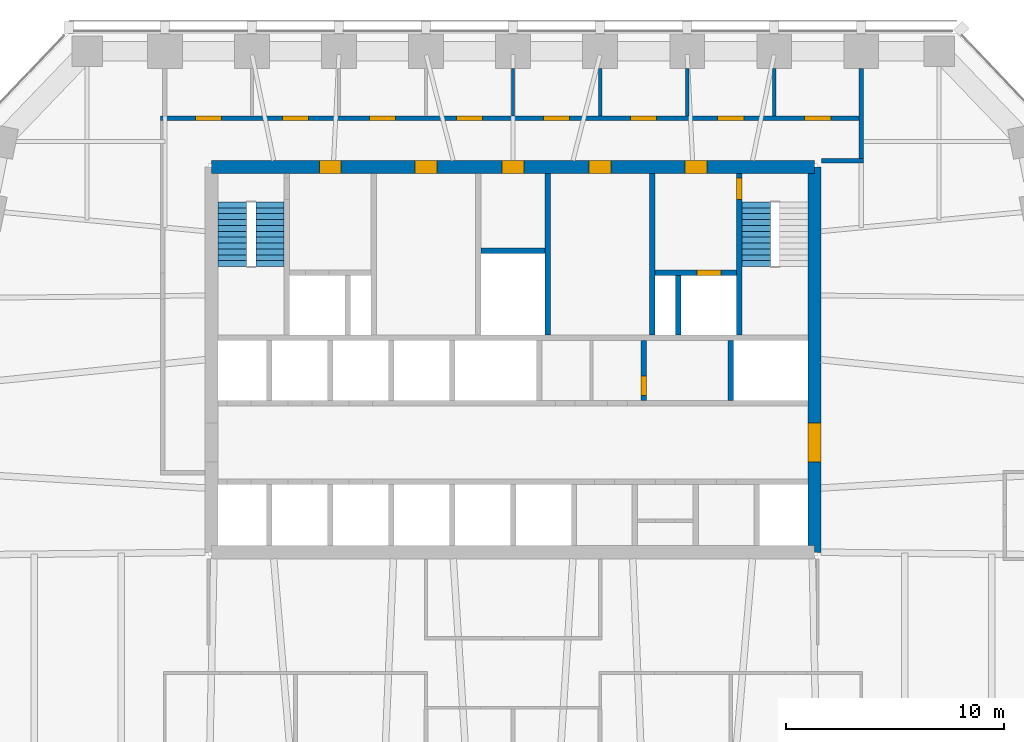
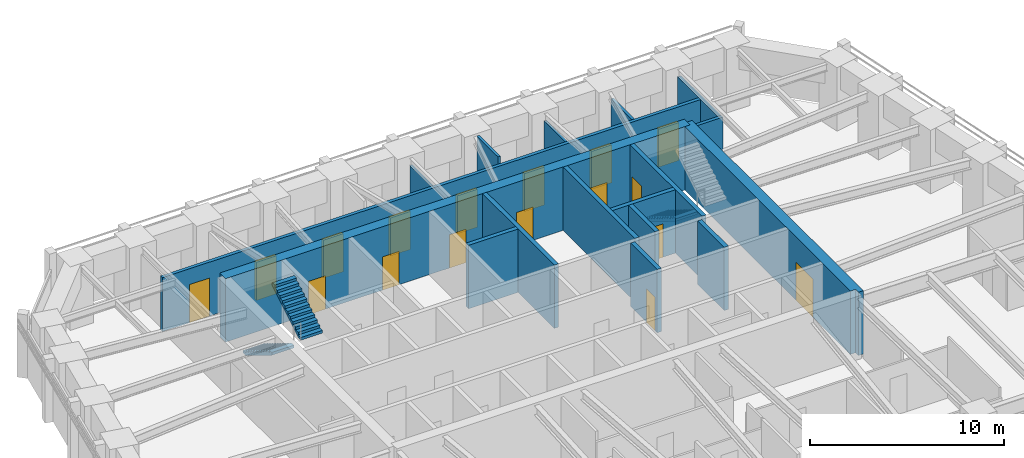
# One storey, part 7 of 10: 17 doors, 17 walls, 3 stair flights, 17 openings, 2 elements without a shape of their own.
"""IFC4 building model written with IfcOpenShell, lengths in metres."""

from ifc_helpers import new_model, si_unit, direction, frame, frame_2d, origin, place, context, subcontext, project, spatial, polyline, rectangle, outline, extrude, material, layer, layer_set, type_object, element, fill, aggregate, save


model = new_model("IFC4")

# Units and contexts
model_context = context("Model", 3, precision=1e-05, world=origin(), true_north=direction((0.0, 1.0)))
body_context = subcontext(model_context, "Body", "Model", "MODEL_VIEW")
ifc_project = project(units=[si_unit("LENGTHUNIT", "METRE"), si_unit("AREAUNIT", "SQUARE_METRE"), si_unit("VOLUMEUNIT", "CUBIC_METRE"), si_unit("PLANEANGLEUNIT", "RADIAN"), si_unit("MASSUNIT", "GRAM", prefix="KILO")], contexts=[model_context])

# Site, building, storey
site_placement = place(None, origin())
site = spatial("IfcSite", under=ifc_project, at=site_placement, CompositionType="ELEMENT")
building_placement = place(site_placement, origin())
building = spatial("IfcBuilding", under=site, at=building_placement, Name="Isbrekke Arena Tower", CompositionType="ELEMENT")
storey_placement = place(building_placement, frame((0.0, 0.0, 182.0)))
storey = spatial("IfcBuildingStorey", under=building, at=storey_placement, Name="L41", CompositionType="ELEMENT", Elevation=182.0)

# Wall, opening, door
ifc_material_1 = material(Name="Concrete B55 (C55/67)", Category="concrete")
ifc_layer_1 = layer(ifc_material_1, 0.60009765625)
ifc_layer_set_1 = layer_set([ifc_layer_1], Name="CW4 CORE WALL 600")
wall_type_1 = type_object("IfcWallType", Name="CW4 CORE WALL 600", PredefinedType="SHEAR", material=ifc_layer_set_1)
wall_1_placement = place(storey_placement, frame((13.85009765625, 6.14990234375, 0.0), z_axis=(0.0, 0.0, 1.0), x_axis=(0.0, 1.0, 0.0)))
wall_1 = element("IfcWall", 1, at=wall_1_placement, inside=storey, type_object=wall_type_1, Name="Core wall E L41", PredefinedType="SHEAR", context=body_context, shape_type="SweptSolid", body=[
    extrude(outline(polyline([(0.0, -0.300048828125), (17.7001953125, -0.300048828125), (17.7001953125, 0.0), (17.400146484375, 0.0), (17.400146484375, 0.300048828125), (0.300048828125, 0.300048828125), (0.300048828125, 0.0), (0.0, 0.0), (0.0, -0.300048828125)])), origin(), (0.0, 0.0, 1.0), 4.0),
])
opening_1_placement = place(wall_1_placement, frame((4.14990234375, 0.0, 0.0)))
opening_1 = element("IfcOpeningElement", 2, at=opening_1_placement, cuts=wall_1, Name="Opening D1", PredefinedType="OPENING", context=body_context, shape_type="SweptSolid", body=[
    extrude(rectangle(XDim=1.800048828125, YDim=2.39990234375, at=frame_2d((0.89990234375, 1.199951171875))), frame((0.0, 0.31494140625, 0.0), z_axis=(0.0, -1.0, 0.0), x_axis=(1.0, 0.0, 0.0)), (0.0, 0.0, 1.0), 0.6298828125),
])
ifc_material_2 = material(Name="Steel-framed glazed fire door", Category="steel")
door_type_1 = type_object("IfcDoorType", Name="D1 CORE LOBBY DOOR 1800 x 2400", OperationType="DOUBLE_DOOR_SINGLE_SWING", PredefinedType="DOOR", material=ifc_material_2)
door_1_placement = place(opening_1_placement, origin())
door_1 = element("IfcDoor", 3, at=door_1_placement, inside=storey, type_object=door_type_1, Name="D1 lift lobby door east L41", OperationType="DOUBLE_DOOR_SINGLE_SWING", OverallHeight=2.39990234375, OverallWidth=1.800048828125, PredefinedType="DOOR", context=body_context, shape_type="SweptSolid", body=[
    extrude(rectangle(XDim=1.800048828125, YDim=2.39990234375, at=frame_2d((0.89990234375, 1.199951171875))), frame((0.0, 0.2998046875, 0.0), z_axis=(0.0, -1.0, 0.0), x_axis=(1.0, 0.0, 0.0)), (0.0, 0.0, 1.0), 0.599609375),
])
fill(opening_1, door_1)

# Wall, openings, doors
wall_2_placement = place(storey_placement, frame((13.85009765625, 23.85009765625, 0.0), z_axis=(0.0, 0.0, 1.0), x_axis=(-1.0, 0.0, 0.0)))
wall_2 = element("IfcWall", 4, at=wall_2_placement, inside=storey, type_object=wall_type_1, Name="Core wall N L41", PredefinedType="SHEAR", context=body_context, shape_type="SweptSolid", body=[
    extrude(rectangle(XDim=27.7001953125, YDim=0.60009765625, at=frame_2d((13.85009765625, 0.0))), origin(), (0.0, 0.0, 1.0), 4.0),
])
opening_2_placement = place(wall_2_placement, frame((21.75, 0.0, 0.0)))
opening_2 = element("IfcOpeningElement", 5, at=opening_2_placement, cuts=wall_2, Name="Opening D3", PredefinedType="OPENING", context=body_context, shape_type="SweptSolid", body=[
    extrude(rectangle(XDim=1.0, YDim=2.10009765625, at=frame_2d((0.5, 1.050048828125))), frame((0.0, 0.31494140625, 0.0), z_axis=(0.0, -1.0, 0.0), x_axis=(1.0, 0.0, 0.0)), (0.0, 0.0, 1.0), 0.6298828125),
])
opening_3_placement = place(wall_2_placement, frame((4.949951171875, 0.0, 0.0)))
opening_3 = element("IfcOpeningElement", 6, at=opening_3_placement, cuts=wall_2, Name="Opening D3", PredefinedType="OPENING", context=body_context, shape_type="SweptSolid", body=[
    extrude(rectangle(XDim=1.0, YDim=2.10009765625, at=frame_2d((0.5, 1.050048828125))), frame((0.0, 0.31494140625, 0.0), z_axis=(0.0, -1.0, 0.0), x_axis=(1.0, 0.0, 0.0)), (0.0, 0.0, 1.0), 0.6298828125),
])
opening_4_placement = place(wall_2_placement, frame((17.35009765625, 0.0, 0.0)))
opening_4 = element("IfcOpeningElement", 7, at=opening_4_placement, cuts=wall_2, Name="Opening D4", PredefinedType="OPENING", context=body_context, shape_type="SweptSolid", body=[
    extrude(rectangle(XDim=1.0, YDim=2.10009765625, at=frame_2d((0.5, 1.050048828125))), frame((0.0, 0.31494140625, 0.0), z_axis=(0.0, -1.0, 0.0), x_axis=(1.0, 0.0, 0.0)), (0.0, 0.0, 1.0), 0.6298828125),
])
opening_5_placement = place(wall_2_placement, frame((13.35009765625, 0.0, 0.0)))
opening_5 = element("IfcOpeningElement", 8, at=opening_5_placement, cuts=wall_2, Name="Opening D4", PredefinedType="OPENING", context=body_context, shape_type="SweptSolid", body=[
    extrude(rectangle(XDim=1.0, YDim=2.10009765625, at=frame_2d((0.5, 1.050048828125))), frame((0.0, 0.31494140625, 0.0), z_axis=(0.0, -1.0, 0.0), x_axis=(1.0, 0.0, 0.0)), (0.0, 0.0, 1.0), 0.6298828125),
])
opening_6_placement = place(wall_2_placement, frame((9.35009765625, 0.0, 0.0)))
opening_6 = element("IfcOpeningElement", 9, at=opening_6_placement, cuts=wall_2, Name="Opening D4", PredefinedType="OPENING", context=body_context, shape_type="SweptSolid", body=[
    extrude(rectangle(XDim=1.0, YDim=2.10009765625, at=frame_2d((0.5, 1.050048828125))), frame((0.0, 0.31494140625, 0.0), z_axis=(0.0, -1.0, 0.0), x_axis=(1.0, 0.0, 0.0)), (0.0, 0.0, 1.0), 0.6298828125),
])
ifc_material_3 = material(Name="Steel fire door", Category="steel")
door_type_2 = type_object("IfcDoorType", Name="D3 FIRE LOBBY DOOR 1000 x 2100", OperationType="SINGLE_SWING_RIGHT", PredefinedType="DOOR", material=ifc_material_3)
door_2_placement = place(opening_2_placement, origin())
door_2 = element("IfcDoor", 10, at=door_2_placement, inside=storey, type_object=door_type_2, Name="D3 fire-fighting lobby door L41", OperationType="SINGLE_SWING_RIGHT", OverallHeight=2.10009765625, OverallWidth=1.0, PredefinedType="DOOR", context=body_context, shape_type="SweptSolid", body=[
    extrude(rectangle(XDim=1.0, YDim=2.10009765625, at=frame_2d((0.5, 1.050048828125))), frame((0.0, 0.2998046875, 0.0), z_axis=(0.0, -1.0, 0.0), x_axis=(1.0, 0.0, 0.0)), (0.0, 0.0, 1.0), 0.599609375),
])
fill(opening_2, door_2)
door_3_placement = place(opening_3_placement, origin())
door_3 = element("IfcDoor", 11, at=door_3_placement, inside=storey, type_object=door_type_2, Name="D3 fire-fighting lobby door L41", OperationType="SINGLE_SWING_RIGHT", OverallHeight=2.10009765625, OverallWidth=1.0, PredefinedType="DOOR", context=body_context, shape_type="SweptSolid", body=[
    extrude(rectangle(XDim=1.0, YDim=2.10009765625, at=frame_2d((0.5, 1.050048828125))), frame((0.0, 0.2998046875, 0.0), z_axis=(0.0, -1.0, 0.0), x_axis=(1.0, 0.0, 0.0)), (0.0, 0.0, 1.0), 0.599609375),
])
fill(opening_3, door_3)
ifc_material_4 = material(Name="Timber door", Category="wood")
door_type_3 = type_object("IfcDoorType", Name="D4 WC DOOR 1000 x 2100", OperationType="SINGLE_SWING_LEFT", PredefinedType="DOOR", material=ifc_material_4)
door_4_placement = place(opening_4_placement, origin())
door_4 = element("IfcDoor", 12, at=door_4_placement, inside=storey, type_object=door_type_3, Name="D4 wc female door L41", OperationType="SINGLE_SWING_LEFT", OverallHeight=2.10009765625, OverallWidth=1.0, PredefinedType="DOOR", context=body_context, shape_type="SweptSolid", body=[
    extrude(rectangle(XDim=1.0, YDim=2.10009765625, at=frame_2d((0.5, 1.050048828125))), frame((0.0, 0.2998046875, 0.0), z_axis=(0.0, -1.0, 0.0), x_axis=(1.0, 0.0, 0.0)), (0.0, 0.0, 1.0), 0.599609375),
])
fill(opening_4, door_4)
door_5_placement = place(opening_5_placement, origin())
door_5 = element("IfcDoor", 13, at=door_5_placement, inside=storey, type_object=door_type_3, Name="D4 accessible wc door L41", OperationType="SINGLE_SWING_LEFT", OverallHeight=2.10009765625, OverallWidth=1.0, PredefinedType="DOOR", context=body_context, shape_type="SweptSolid", body=[
    extrude(rectangle(XDim=1.0, YDim=2.10009765625, at=frame_2d((0.5, 1.050048828125))), frame((0.0, 0.2998046875, 0.0), z_axis=(0.0, -1.0, 0.0), x_axis=(1.0, 0.0, 0.0)), (0.0, 0.0, 1.0), 0.599609375),
])
fill(opening_5, door_5)
door_6_placement = place(opening_6_placement, origin())
door_6 = element("IfcDoor", 14, at=door_6_placement, inside=storey, type_object=door_type_3, Name="D4 wc male door L41", OperationType="SINGLE_SWING_LEFT", OverallHeight=2.10009765625, OverallWidth=1.0, PredefinedType="DOOR", context=body_context, shape_type="SweptSolid", body=[
    extrude(rectangle(XDim=1.0, YDim=2.10009765625, at=frame_2d((0.5, 1.050048828125))), frame((0.0, 0.2998046875, 0.0), z_axis=(0.0, -1.0, 0.0), x_axis=(1.0, 0.0, 0.0)), (0.0, 0.0, 1.0), 0.599609375),
])
fill(opening_6, door_6)

# Wall, opening, door
ifc_material_5 = material(Name="Concrete B45 (C45/55)", Category="concrete")
ifc_layer_2 = layer(ifc_material_5, 0.25)
ifc_layer_set_2 = layer_set([ifc_layer_2], Name="CW6 SHAFT WALL 250")
wall_type_2 = type_object("IfcWallType", Name="CW6 SHAFT WALL 250", PredefinedType="SHEAR", material=ifc_layer_set_2)
wall_3_placement = place(storey_placement, frame((6.0, 13.125, 0.0), z_axis=(0.0, 0.0, 1.0), x_axis=(0.0, 1.0, 0.0)))
wall_3 = element("IfcWall", 15, at=wall_3_placement, inside=storey, type_object=wall_type_2, Name="Core wall SN06 L41", PredefinedType="SHEAR", context=body_context, shape_type="SweptSolid", body=[
    extrude(rectangle(XDim=2.75, YDim=0.25, at=frame_2d((1.375, 0.0))), origin(), (0.0, 0.0, 1.0), 4.0),
])
opening_7_placement = place(wall_3_placement, frame((0.22509765625, 0.0, 0.0)))
opening_7 = element("IfcOpeningElement", 16, at=opening_7_placement, cuts=wall_3, Name="Opening D5", PredefinedType="OPENING", context=body_context, shape_type="SweptSolid", body=[
    extrude(rectangle(XDim=0.89990234375, YDim=2.10009765625, at=frame_2d((0.449951171875, 1.050048828125))), frame((0.0, 0.139892578125, 0.0), z_axis=(0.0, -1.0, 0.0), x_axis=(1.0, 0.0, 0.0)), (0.0, 0.0, 1.0), 0.27978515625),
])
ifc_material_6 = material(Name="Steel fire door", Category="steel")
door_type_4 = type_object("IfcDoorType", Name="D5 SERVICE DOOR 900 x 2100", OperationType="SINGLE_SWING_LEFT", PredefinedType="DOOR", material=ifc_material_6)
door_7_placement = place(opening_7_placement, frame((0.89990234375, 0.0, 0.0), z_axis=(0.0, 0.0, 1.0), x_axis=(-1.0, 0.0, 0.0)))
door_7 = element("IfcDoor", 17, at=door_7_placement, inside=storey, type_object=door_type_4, Name="D5 tenant store door L41", OperationType="SINGLE_SWING_LEFT", OverallHeight=2.10009765625, OverallWidth=0.89990234375, PredefinedType="DOOR", context=body_context, shape_type="SweptSolid", body=[
    extrude(rectangle(XDim=0.89990234375, YDim=2.10009765625, at=frame_2d((0.449951171875, 1.050048828125))), frame((0.0, 0.124755859375, 0.0), z_axis=(0.0, -1.0, 0.0), x_axis=(1.0, 0.0, 0.0)), (0.0, 0.0, 1.0), 0.24951171875),
])
fill(opening_7, door_7)

# Walls
wall_4_placement = place(storey_placement, frame((10.0, 13.125, 0.0), z_axis=(0.0, 0.0, 1.0), x_axis=(0.0, 1.0, 0.0)))
element("IfcWall", 18, at=wall_4_placement, inside=storey, type_object=wall_type_2, Name="Core wall SN07 L41", PredefinedType="SHEAR", context=body_context, shape_type="SweptSolid", body=[
    extrude(rectangle(XDim=2.75, YDim=0.25, at=frame_2d((1.375, 0.0))), origin(), (0.0, 0.0, 1.0), 4.0),
])
for number, where, z_axis, x_axis, name in (
    (19, (1.60009765625, 16.125, 0.0), (0.0, 0.0, 1.0), (0.0, 1.0, 0.0), "Core wall NV04 L41"),
    (20, (6.39990234375, 16.125, 0.0), (0.0, 0.0, 1.0), (0.0, 1.0, 0.0), "Core wall NV05 L41"),
):
    element("IfcWall", number, at=place(storey_placement, frame(where, z_axis=z_axis, x_axis=x_axis)), inside=storey, type_object=wall_type_2, Name=name, PredefinedType="SHEAR", context=body_context, shape_type="SweptSolid", body=[
        extrude(rectangle(XDim=7.425048828125, YDim=0.25, at=frame_2d((3.71240234375, 0.0))), origin(), (0.0, 0.0, 1.0), 4.0),
    ])

# Wall, opening, door
wall_5_placement = place(storey_placement, frame((10.39990234375, 16.125, 0.0), z_axis=(0.0, 0.0, 1.0), x_axis=(0.0, 1.0, 0.0)))
wall_5 = element("IfcWall", 21, at=wall_5_placement, inside=storey, type_object=wall_type_2, Name="Core wall NV06 L41", PredefinedType="SHEAR", context=body_context, shape_type="SweptSolid", body=[
    extrude(rectangle(XDim=7.425048828125, YDim=0.25, at=frame_2d((3.71240234375, 0.0))), origin(), (0.0, 0.0, 1.0), 4.0),
])
opening_8_placement = place(wall_5_placement, frame((6.22509765625, 0.0, 0.0)))
opening_8 = element("IfcOpeningElement", 22, at=opening_8_placement, cuts=wall_5, Name="Opening D2", PredefinedType="OPENING", context=body_context, shape_type="SweptSolid", body=[
    extrude(rectangle(XDim=1.0, YDim=2.10009765625, at=frame_2d((0.5, 1.050048828125))), frame((0.0, 0.139892578125, 0.0), z_axis=(0.0, -1.0, 0.0), x_axis=(1.0, 0.0, 0.0)), (0.0, 0.0, 1.0), 0.27978515625),
])
ifc_material_7 = material(Name="Steel fire door", Category="steel")
door_type_5 = type_object("IfcDoorType", Name="D2 STAIR DOOR 1000 x 2100", OperationType="SINGLE_SWING_LEFT", PredefinedType="DOOR", material=ifc_material_7)
door_8_placement = place(opening_8_placement, origin())
door_8 = element("IfcDoor", 23, at=door_8_placement, inside=storey, type_object=door_type_5, Name="D2 stair door ST2 L41", OperationType="SINGLE_SWING_LEFT", OverallHeight=2.10009765625, OverallWidth=1.0, PredefinedType="DOOR", context=body_context, shape_type="SweptSolid", body=[
    extrude(rectangle(XDim=1.0, YDim=2.10009765625, at=frame_2d((0.5, 1.050048828125))), frame((0.0, 0.124755859375, 0.0), z_axis=(0.0, -1.0, 0.0), x_axis=(1.0, 0.0, 0.0)), (0.0, 0.0, 1.0), 0.24951171875),
])
fill(opening_8, door_8)

wall_6_placement = place(storey_placement, frame((6.52490234375, 19.0, 0.0), z_axis=(0.0, 0.0, 1.0), x_axis=(1.0, 0.0, 0.0)))
wall_6 = element("IfcWall", 24, at=wall_6_placement, inside=storey, type_object=wall_type_2, Name="Core wall NFE L41", PredefinedType="SHEAR", context=body_context, shape_type="SweptSolid", body=[
    extrude(rectangle(XDim=3.75, YDim=0.25, at=frame_2d((1.875, 0.0))), origin(), (0.0, 0.0, 1.0), 4.0),
])
opening_9_placement = place(wall_6_placement, frame((1.925048828125, 0.0, 0.0)))
opening_9 = element("IfcOpeningElement", 25, at=opening_9_placement, cuts=wall_6, Name="Opening LD2", PredefinedType="OPENING", context=body_context, shape_type="SweptSolid", body=[
    extrude(rectangle(XDim=1.10009765625, YDim=2.10009765625, at=frame_2d((0.550048828125, 1.050048828125))), frame((0.0, 0.139892578125, 0.0), z_axis=(0.0, -1.0, 0.0), x_axis=(1.0, 0.0, 0.0)), (0.0, 0.0, 1.0), 0.27978515625),
])
ifc_material_8 = material(Name="Stainless steel lift landing door", Category="steel")
door_type_6 = type_object("IfcDoorType", Name="LD2 FIRE-FIGHTING LIFT LANDING DOOR 1100 x 2100", OperationType="SLIDING_TO_RIGHT", PredefinedType="DOOR", material=ifc_material_8)
door_9_placement = place(opening_9_placement, origin())
door_9 = element("IfcDoor", 26, at=door_9_placement, inside=storey, type_object=door_type_6, Name="LD2 lift landing door LF L41", OperationType="SLIDING_TO_RIGHT", OverallHeight=2.10009765625, OverallWidth=1.10009765625, PredefinedType="DOOR", context=body_context, shape_type="SweptSolid", body=[
    extrude(rectangle(XDim=1.10009765625, YDim=2.10009765625, at=frame_2d((0.550048828125, 1.050048828125))), frame((0.0, 0.124755859375, 0.0), z_axis=(0.0, -1.0, 0.0), x_axis=(1.0, 0.0, 0.0)), (0.0, 0.0, 1.0), 0.24951171875),
])
fill(opening_9, door_9)

# Walls
wall_7_placement = place(storey_placement, frame((7.60009765625, 16.125, 0.0), z_axis=(0.0, 0.0, 1.0), x_axis=(0.0, 1.0, 0.0)))
element("IfcWall", 27, at=wall_7_placement, inside=storey, type_object=wall_type_2, Name="Core wall NFS2 L41", PredefinedType="SHEAR", context=body_context, shape_type="SweptSolid", body=[
    extrude(rectangle(XDim=2.75, YDim=0.25, at=frame_2d((1.375, 0.0))), origin(), (0.0, 0.0, 1.0), 4.0),
])
wall_8_placement = place(storey_placement, frame((-1.47509765625, 20.0, 0.0), z_axis=(0.0, 0.0, 1.0), x_axis=(1.0, 0.0, 0.0)))
element("IfcWall", 28, at=wall_8_placement, inside=storey, type_object=wall_type_2, Name="Core wall NWC L41", PredefinedType="SHEAR", context=body_context, shape_type="SweptSolid", body=[
    extrude(rectangle(XDim=2.9501953125, YDim=0.25, at=frame_2d((1.47509765625, 0.0))), origin(), (0.0, 0.0, 1.0), 4.0),
])
ifc_material_9 = material(Name="Gypsum board partition on steel studs", Category="steel")
ifc_layer_3 = layer(ifc_material_9, 0.14990234375)
ifc_layer_set_3 = layer_set([ifc_layer_3], Name="IW1 PARTITION 150")
wall_type_3 = type_object("IfcWallType", Name="IW1 PARTITION 150", PredefinedType="PARTITIONING", material=ifc_layer_set_3)
wall_9_placement = place(storey_placement, frame((0.0, 26.199951171875, 0.0), z_axis=(0.0, 0.0, 1.0), x_axis=(0.0, 1.0, 0.0)))
element("IfcWall", 29, at=wall_9_placement, inside=storey, type_object=wall_type_3, Name="IW1 partition 150 L41", PredefinedType="PARTITIONING", context=body_context, shape_type="SweptSolid", body=[
    extrude(rectangle(XDim=2.175048828125, YDim=0.14990234375, at=frame_2d((1.08740234375, 0.0))), origin(), (0.0, 0.0, 1.0), 3.39990234375),
])
wall_10_placement = place(storey_placement, frame((4.0, 26.199951171875, 0.0), z_axis=(0.0, 0.0, 1.0), x_axis=(0.0, 1.0, 0.0)))
element("IfcWall", 30, at=wall_10_placement, inside=storey, type_object=wall_type_3, Name="IW1 partition 150 L41", PredefinedType="PARTITIONING", context=body_context, shape_type="SweptSolid", body=[
    extrude(rectangle(XDim=2.175048828125, YDim=0.14990234375, at=frame_2d((1.08740234375, 0.0))), origin(), (0.0, 0.0, 1.0), 3.85009765625),
])
for number, where, z_axis, x_axis, name in (
    (31, (8.0, 26.199951171875, 0.0), (0.0, 0.0, 1.0), (0.0, 1.0, 0.0), "IW1 partition 150 L41"),
    (32, (12.0, 26.199951171875, 0.0), (0.0, 0.0, 1.0), (0.0, 1.0, 0.0), "IW1 partition 150 L41"),
):
    element("IfcWall", number, at=place(storey_placement, frame(where, z_axis=z_axis, x_axis=x_axis)), inside=storey, type_object=wall_type_3, Name=name, PredefinedType="PARTITIONING", context=body_context, shape_type="SweptSolid", body=[
        extrude(rectangle(XDim=2.175048828125, YDim=0.14990234375, at=frame_2d((1.08740234375, 0.0))), origin(), (0.0, 0.0, 1.0), 3.39990234375),
    ])
ifc_material_10 = material(Name="Gypsum board fire-cell wall on steel studs, two layers each side", Category="steel")
ifc_layer_4 = layer(ifc_material_10, 0.199951171875)
ifc_layer_set_4 = layer_set([ifc_layer_4], Name="IW3 FIRE-CELL WALL 200")
wall_type_4 = type_object("IfcWallType", Name="IW3 FIRE-CELL WALL 200", PredefinedType="PARTITIONING", material=ifc_layer_set_4)
wall_11_placement = place(storey_placement, frame((14.179931640625, 24.14990234375, 0.0), z_axis=(0.0, 0.0, 1.0), x_axis=(1.0, 0.0, 0.0)))
element("IfcWall", 33, at=wall_11_placement, inside=storey, type_object=wall_type_4, Name="IW3 fire-cell wall 200 L41", PredefinedType="PARTITIONING", context=body_context, shape_type="SweptSolid", body=[
    extrude(rectangle(XDim=1.920166015625, YDim=0.199951171875, at=frame_2d((0.9599609375, 0.0))), origin(), (0.0, 0.0, 1.0), 3.39990234375),
])

# Wall, openings, doors
wall_12_placement = place(storey_placement, frame((-16.199951171875, 26.10009765625, 0.0), z_axis=(0.0, 0.0, 1.0), x_axis=(1.0, 0.0, 0.0)))
wall_12 = element("IfcWall", 34, at=wall_12_placement, inside=storey, type_object=wall_type_4, Name="IW3 fire-cell wall 200 L41", PredefinedType="PARTITIONING", context=body_context, shape_type="SweptSolid", body=[
    extrude(rectangle(XDim=32.099853515625, YDim=0.199951171875, at=frame_2d((16.0498046875, 0.0))), origin(), (0.0, 0.0, 1.0), 3.39990234375),
])
opening_10_placement = place(wall_12_placement, frame((1.60009765625, 0.0, 0.0)))
opening_10 = element("IfcOpeningElement", 35, at=opening_10_placement, cuts=wall_12, Name="Opening D12", PredefinedType="OPENING", context=body_context, shape_type="SweptSolid", body=[
    extrude(rectangle(XDim=1.199951171875, YDim=2.39990234375, at=frame_2d((0.60009765625, 1.199951171875))), frame((0.0, 0.11474609375, 0.0), z_axis=(0.0, -1.0, 0.0), x_axis=(1.0, 0.0, 0.0)), (0.0, 0.0, 1.0), 0.229736328125),
])
opening_11_placement = place(wall_12_placement, frame((5.60009765625, 0.0, 0.0)))
opening_11 = element("IfcOpeningElement", 36, at=opening_11_placement, cuts=wall_12, Name="Opening D12", PredefinedType="OPENING", context=body_context, shape_type="SweptSolid", body=[
    extrude(rectangle(XDim=1.199951171875, YDim=2.39990234375, at=frame_2d((0.60009765625, 1.199951171875))), frame((0.0, 0.11474609375, 0.0), z_axis=(0.0, -1.0, 0.0), x_axis=(1.0, 0.0, 0.0)), (0.0, 0.0, 1.0), 0.229736328125),
])
opening_12_placement = place(wall_12_placement, frame((9.60009765625, 0.0, 0.0)))
opening_12 = element("IfcOpeningElement", 37, at=opening_12_placement, cuts=wall_12, Name="Opening D12", PredefinedType="OPENING", context=body_context, shape_type="SweptSolid", body=[
    extrude(rectangle(XDim=1.199951171875, YDim=2.39990234375, at=frame_2d((0.60009765625, 1.199951171875))), frame((0.0, 0.11474609375, 0.0), z_axis=(0.0, -1.0, 0.0), x_axis=(1.0, 0.0, 0.0)), (0.0, 0.0, 1.0), 0.229736328125),
])
opening_13_placement = place(wall_12_placement, frame((13.60009765625, 0.0, 0.0)))
opening_13 = element("IfcOpeningElement", 38, at=opening_13_placement, cuts=wall_12, Name="Opening D12", PredefinedType="OPENING", context=body_context, shape_type="SweptSolid", body=[
    extrude(rectangle(XDim=1.199951171875, YDim=2.39990234375, at=frame_2d((0.60009765625, 1.199951171875))), frame((0.0, 0.11474609375, 0.0), z_axis=(0.0, -1.0, 0.0), x_axis=(1.0, 0.0, 0.0)), (0.0, 0.0, 1.0), 0.229736328125),
])
opening_14_placement = place(wall_12_placement, frame((17.60009765625, 0.0, 0.0)))
opening_14 = element("IfcOpeningElement", 39, at=opening_14_placement, cuts=wall_12, Name="Opening D12", PredefinedType="OPENING", context=body_context, shape_type="SweptSolid", body=[
    extrude(rectangle(XDim=1.199951171875, YDim=2.39990234375, at=frame_2d((0.60009765625, 1.199951171875))), frame((0.0, 0.11474609375, 0.0), z_axis=(0.0, -1.0, 0.0), x_axis=(1.0, 0.0, 0.0)), (0.0, 0.0, 1.0), 0.229736328125),
])
opening_15_placement = place(wall_12_placement, frame((21.60009765625, 0.0, 0.0)))
opening_15 = element("IfcOpeningElement", 40, at=opening_15_placement, cuts=wall_12, Name="Opening D12", PredefinedType="OPENING", context=body_context, shape_type="SweptSolid", body=[
    extrude(rectangle(XDim=1.199951171875, YDim=2.39990234375, at=frame_2d((0.60009765625, 1.199951171875))), frame((0.0, 0.11474609375, 0.0), z_axis=(0.0, -1.0, 0.0), x_axis=(1.0, 0.0, 0.0)), (0.0, 0.0, 1.0), 0.229736328125),
])
opening_16_placement = place(wall_12_placement, frame((25.60009765625, 0.0, 0.0)))
opening_16 = element("IfcOpeningElement", 41, at=opening_16_placement, cuts=wall_12, Name="Opening D12", PredefinedType="OPENING", context=body_context, shape_type="SweptSolid", body=[
    extrude(rectangle(XDim=1.199951171875, YDim=2.39990234375, at=frame_2d((0.60009765625, 1.199951171875))), frame((0.0, 0.11474609375, 0.0), z_axis=(0.0, -1.0, 0.0), x_axis=(1.0, 0.0, 0.0)), (0.0, 0.0, 1.0), 0.229736328125),
])
opening_17_placement = place(wall_12_placement, frame((29.60009765625, 0.0, 0.0)))
opening_17 = element("IfcOpeningElement", 42, at=opening_17_placement, cuts=wall_12, Name="Opening D12", PredefinedType="OPENING", context=body_context, shape_type="SweptSolid", body=[
    extrude(rectangle(XDim=1.199951171875, YDim=2.39990234375, at=frame_2d((0.60009765625, 1.199951171875))), frame((0.0, 0.11474609375, 0.0), z_axis=(0.0, -1.0, 0.0), x_axis=(1.0, 0.0, 0.0)), (0.0, 0.0, 1.0), 0.229736328125),
])
ifc_material_11 = material(Name="Timber fire door with vision panel", Category="wood")
door_type_7 = type_object("IfcDoorType", Name="D12 SUITE ENTRANCE DOOR 1200 x 2400", OperationType="SINGLE_SWING_LEFT", PredefinedType="DOOR", material=ifc_material_11)
door_10_placement = place(opening_10_placement, origin())
door_10 = element("IfcDoor", 43, at=door_10_placement, inside=storey, type_object=door_type_7, Name="D12 office door L41", OperationType="SINGLE_SWING_LEFT", OverallHeight=2.39990234375, OverallWidth=1.199951171875, PredefinedType="DOOR", context=body_context, shape_type="SweptSolid", body=[
    extrude(rectangle(XDim=1.199951171875, YDim=2.39990234375, at=frame_2d((0.60009765625, 1.199951171875))), frame((0.0, 0.099609375, 0.0), z_axis=(0.0, -1.0, 0.0), x_axis=(1.0, 0.0, 0.0)), (0.0, 0.0, 1.0), 0.199462890625),
])
fill(opening_10, door_10)
door_11_placement = place(opening_11_placement, origin())
door_11 = element("IfcDoor", 44, at=door_11_placement, inside=storey, type_object=door_type_7, Name="D12 office door L41", OperationType="SINGLE_SWING_LEFT", OverallHeight=2.39990234375, OverallWidth=1.199951171875, PredefinedType="DOOR", context=body_context, shape_type="SweptSolid", body=[
    extrude(rectangle(XDim=1.199951171875, YDim=2.39990234375, at=frame_2d((0.60009765625, 1.199951171875))), frame((0.0, 0.099609375, 0.0), z_axis=(0.0, -1.0, 0.0), x_axis=(1.0, 0.0, 0.0)), (0.0, 0.0, 1.0), 0.199462890625),
])
fill(opening_11, door_11)
door_12_placement = place(opening_12_placement, origin())
door_12 = element("IfcDoor", 45, at=door_12_placement, inside=storey, type_object=door_type_7, Name="D12 office door L41", OperationType="SINGLE_SWING_LEFT", OverallHeight=2.39990234375, OverallWidth=1.199951171875, PredefinedType="DOOR", context=body_context, shape_type="SweptSolid", body=[
    extrude(rectangle(XDim=1.199951171875, YDim=2.39990234375, at=frame_2d((0.60009765625, 1.199951171875))), frame((0.0, 0.099609375, 0.0), z_axis=(0.0, -1.0, 0.0), x_axis=(1.0, 0.0, 0.0)), (0.0, 0.0, 1.0), 0.199462890625),
])
fill(opening_12, door_12)
door_13_placement = place(opening_13_placement, origin())
door_13 = element("IfcDoor", 46, at=door_13_placement, inside=storey, type_object=door_type_7, Name="D12 office door L41", OperationType="SINGLE_SWING_LEFT", OverallHeight=2.39990234375, OverallWidth=1.199951171875, PredefinedType="DOOR", context=body_context, shape_type="SweptSolid", body=[
    extrude(rectangle(XDim=1.199951171875, YDim=2.39990234375, at=frame_2d((0.60009765625, 1.199951171875))), frame((0.0, 0.099609375, 0.0), z_axis=(0.0, -1.0, 0.0), x_axis=(1.0, 0.0, 0.0)), (0.0, 0.0, 1.0), 0.199462890625),
])
fill(opening_13, door_13)
door_14_placement = place(opening_14_placement, origin())
door_14 = element("IfcDoor", 47, at=door_14_placement, inside=storey, type_object=door_type_7, Name="D12 office door L41", OperationType="SINGLE_SWING_LEFT", OverallHeight=2.39990234375, OverallWidth=1.199951171875, PredefinedType="DOOR", context=body_context, shape_type="SweptSolid", body=[
    extrude(rectangle(XDim=1.199951171875, YDim=2.39990234375, at=frame_2d((0.60009765625, 1.199951171875))), frame((0.0, 0.099609375, 0.0), z_axis=(0.0, -1.0, 0.0), x_axis=(1.0, 0.0, 0.0)), (0.0, 0.0, 1.0), 0.199462890625),
])
fill(opening_14, door_14)
door_15_placement = place(opening_15_placement, origin())
door_15 = element("IfcDoor", 48, at=door_15_placement, inside=storey, type_object=door_type_7, Name="D12 office door L41", OperationType="SINGLE_SWING_LEFT", OverallHeight=2.39990234375, OverallWidth=1.199951171875, PredefinedType="DOOR", context=body_context, shape_type="SweptSolid", body=[
    extrude(rectangle(XDim=1.199951171875, YDim=2.39990234375, at=frame_2d((0.60009765625, 1.199951171875))), frame((0.0, 0.099609375, 0.0), z_axis=(0.0, -1.0, 0.0), x_axis=(1.0, 0.0, 0.0)), (0.0, 0.0, 1.0), 0.199462890625),
])
fill(opening_15, door_15)
door_16_placement = place(opening_16_placement, origin())
door_16 = element("IfcDoor", 49, at=door_16_placement, inside=storey, type_object=door_type_7, Name="D12 office door L41", OperationType="SINGLE_SWING_LEFT", OverallHeight=2.39990234375, OverallWidth=1.199951171875, PredefinedType="DOOR", context=body_context, shape_type="SweptSolid", body=[
    extrude(rectangle(XDim=1.199951171875, YDim=2.39990234375, at=frame_2d((0.60009765625, 1.199951171875))), frame((0.0, 0.099609375, 0.0), z_axis=(0.0, -1.0, 0.0), x_axis=(1.0, 0.0, 0.0)), (0.0, 0.0, 1.0), 0.199462890625),
])
fill(opening_16, door_16)
door_17_placement = place(opening_17_placement, origin())
door_17 = element("IfcDoor", 50, at=door_17_placement, inside=storey, type_object=door_type_7, Name="D12 office door L41", OperationType="SINGLE_SWING_LEFT", OverallHeight=2.39990234375, OverallWidth=1.199951171875, PredefinedType="DOOR", context=body_context, shape_type="SweptSolid", body=[
    extrude(rectangle(XDim=1.199951171875, YDim=2.39990234375, at=frame_2d((0.60009765625, 1.199951171875))), frame((0.0, 0.099609375, 0.0), z_axis=(0.0, -1.0, 0.0), x_axis=(1.0, 0.0, 0.0)), (0.0, 0.0, 1.0), 0.199462890625),
])
fill(opening_17, door_17)

# Wall
wall_13_placement = place(storey_placement, frame((16.0, 24.25, 0.0), z_axis=(0.0, 0.0, 1.0), x_axis=(0.0, 1.0, 0.0)))
element("IfcWall", 51, at=wall_13_placement, inside=storey, type_object=wall_type_4, Name="IW3 fire-cell wall 200 L41", PredefinedType="PARTITIONING", context=body_context, shape_type="SweptSolid", body=[
    extrude(rectangle(XDim=4.125, YDim=0.199951171875, at=frame_2d((2.0625, 0.0))), origin(), (0.0, 0.0, 1.0), 3.39990234375),
])

# Stair, stair flights
ifc_material_12 = material(Name="Concrete B45 (C45/55) precast", Category="concrete")
stair_type = type_object("IfcStairType", Name="ST40 STAIR 1300 WIDE, 24 RISERS 167", PredefinedType="HALF_TURN_STAIR", material=ifc_material_12)
stair_1_placement = place(storey_placement, origin())
stair_1 = element("IfcStair", 52, at=stair_1_placement, inside=storey, type_object=stair_type, Name="ST1 stair L41", PredefinedType="HALF_TURN_STAIR")
ifc_material_13 = material(Name="Concrete B45 (C45/55) precast", Category="concrete")
stair_flight_type = type_object("IfcStairFlightType", Name="SF 1300 FLIGHT", PredefinedType="STRAIGHT", material=ifc_material_13)
stair_flight_1_placement = place(storey_placement, frame((-12.89990234375, 22.25, 0.0), z_axis=(0.0, 0.0, 1.0), x_axis=(0.0, -1.0, 0.0)))
stair_flight_1 = element("IfcStairFlight", 53, at=stair_flight_1_placement, type_object=stair_flight_type, Name="ST1 flight 1", NumberOfRisers=12, NumberOfTreads=11, PredefinedType="STRAIGHT", RiserHeight=0.166666667, TreadLength=0.27, context=body_context, shape_type="SweptSolid", body=[
    extrude(outline(polyline([(0.0, 0.0), (0.0, 0.166748046875), (0.27001953125, 0.166748046875), (0.27001953125, 0.333251953125), (0.5400390625, 0.333251953125), (0.5400390625, 0.5), (0.81005859375, 0.5), (0.81005859375, 0.666748046875), (1.080078125, 0.666748046875), (1.080078125, 0.833251953125), (1.35009765625, 0.833251953125), (1.35009765625, 1.0), (1.6201171875, 1.0), (1.6201171875, 1.166748046875), (1.889892578125, 1.166748046875), (1.889892578125, 1.333251953125), (2.159912109375, 1.333251953125), (2.159912109375, 1.5), (2.429931640625, 1.5), (2.429931640625, 1.666748046875), (2.699951171875, 1.666748046875), (2.699951171875, 1.833251953125), (2.969970703125, 1.833251953125), (2.969970703125, 2.0), (2.969970703125, 1.6572265625), (0.285400390625, 0.0), (0.0, 0.0)])), frame((0.0, 0.64990234375, 0.0), z_axis=(0.0, -1.0, 0.0), x_axis=(1.0, 0.0, 0.0)), (0.0, 0.0, 1.0), 1.300048828125),
])
stair_flight_2_placement = place(storey_placement, frame((-11.175048828125, 19.280029296875, 2.0), z_axis=(0.0, 0.0, 1.0), x_axis=(0.0, 1.0, 0.0)))
stair_flight_2 = element("IfcStairFlight", 54, at=stair_flight_2_placement, type_object=stair_flight_type, Name="ST1 flight 2", NumberOfRisers=12, NumberOfTreads=11, PredefinedType="STRAIGHT", RiserHeight=0.166666667, TreadLength=0.27, context=body_context, shape_type="SweptSolid", body=[
    extrude(outline(polyline([(0.0, 0.0), (0.0, 0.166748046875), (0.27001953125, 0.166748046875), (0.27001953125, 0.333251953125), (0.5400390625, 0.333251953125), (0.5400390625, 0.5), (0.81005859375, 0.5), (0.81005859375, 0.666748046875), (1.080078125, 0.666748046875), (1.080078125, 0.833251953125), (1.35009765625, 0.833251953125), (1.35009765625, 1.0), (1.6201171875, 1.0), (1.6201171875, 1.166748046875), (1.889892578125, 1.166748046875), (1.889892578125, 1.333251953125), (2.159912109375, 1.333251953125), (2.159912109375, 1.5), (2.429931640625, 1.5), (2.429931640625, 1.666748046875), (2.699951171875, 1.666748046875), (2.699951171875, 1.833251953125), (2.969970703125, 1.833251953125), (2.969970703125, 2.0), (2.969970703125, 1.6572265625), (0.285400390625, 0.0), (0.0, 0.0)])), frame((0.0, 0.64990234375, 0.0), z_axis=(0.0, -1.0, 0.0), x_axis=(1.0, 0.0, 0.0)), (0.0, 0.0, 1.0), 1.300048828125),
])
aggregate(stair_1, [stair_flight_1, stair_flight_2])

# Stair, stair flight
stair_2_placement = place(storey_placement, origin())
stair_2 = element("IfcStair", 55, at=stair_2_placement, inside=storey, type_object=stair_type, Name="ST2 stair L41", PredefinedType="HALF_TURN_STAIR")
stair_flight_3_placement = place(storey_placement, frame((11.175048828125, 22.25, 0.0), z_axis=(0.0, 0.0, 1.0), x_axis=(0.0, -1.0, 0.0)))
stair_flight_3 = element("IfcStairFlight", 56, at=stair_flight_3_placement, type_object=stair_flight_type, Name="ST2 flight 1", NumberOfRisers=12, NumberOfTreads=11, PredefinedType="STRAIGHT", RiserHeight=0.166666667, TreadLength=0.27, context=body_context, shape_type="SweptSolid", body=[
    extrude(outline(polyline([(0.0, 0.0), (0.0, 0.166748046875), (0.27001953125, 0.166748046875), (0.27001953125, 0.333251953125), (0.5400390625, 0.333251953125), (0.5400390625, 0.5), (0.81005859375, 0.5), (0.81005859375, 0.666748046875), (1.080078125, 0.666748046875), (1.080078125, 0.833251953125), (1.35009765625, 0.833251953125), (1.35009765625, 1.0), (1.6201171875, 1.0), (1.6201171875, 1.166748046875), (1.889892578125, 1.166748046875), (1.889892578125, 1.333251953125), (2.159912109375, 1.333251953125), (2.159912109375, 1.5), (2.429931640625, 1.5), (2.429931640625, 1.666748046875), (2.699951171875, 1.666748046875), (2.699951171875, 1.833251953125), (2.969970703125, 1.833251953125), (2.969970703125, 2.0), (2.969970703125, 1.6572265625), (0.285400390625, 0.0), (0.0, 0.0)])), frame((0.0, 0.64990234375, 0.0), z_axis=(0.0, -1.0, 0.0), x_axis=(1.0, 0.0, 0.0)), (0.0, 0.0, 1.0), 1.300048828125),
])
aggregate(stair_2, [stair_flight_3])

save(model, "model.ifc")
